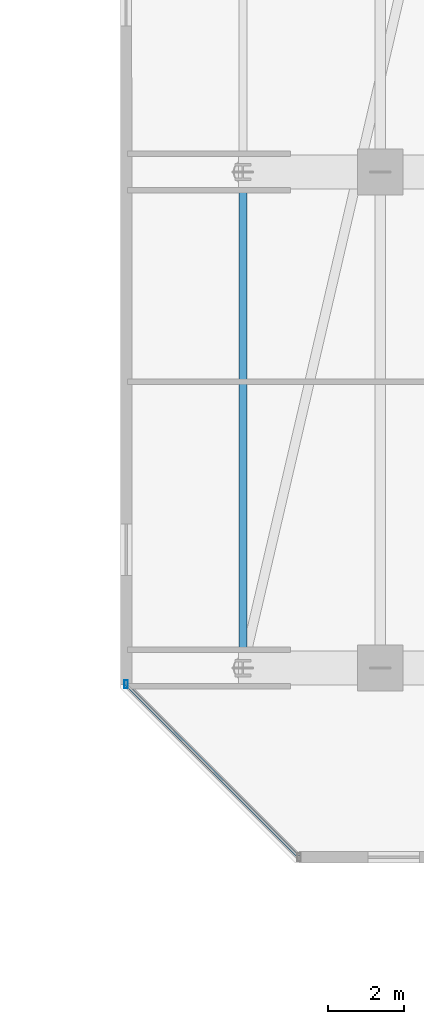
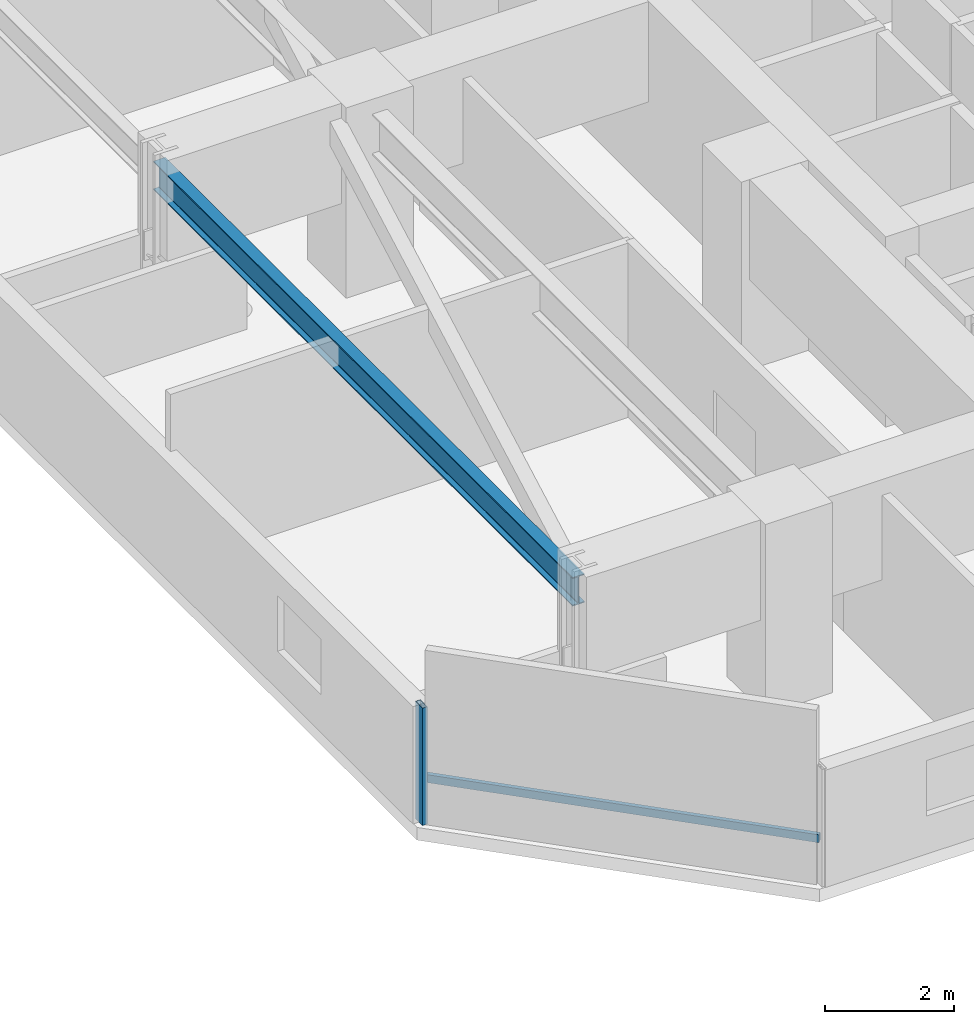
# One storey, part 6 of 36: 2 members, 1 beam, 1 element without a shape of its own.
"""IFC4 building model written with IfcOpenShell, lengths in metres."""

from ifc_helpers import new_model, si_unit, direction, frame, origin, origin_2d, place, context, subcontext, project, spatial, hollow_rectangle, i_section, extrude, material, material_profile, profile_set, type_object, element, aggregate, save


model = new_model("IFC4")

# Units and contexts
model_context = context("Model", 3, precision=1e-05, world=origin(), true_north=direction((0.0, 1.0)))
body_context = subcontext(model_context, "Body", "Model", "MODEL_VIEW")
ifc_project = project(units=[si_unit("LENGTHUNIT", "METRE"), si_unit("AREAUNIT", "SQUARE_METRE"), si_unit("VOLUMEUNIT", "CUBIC_METRE"), si_unit("PLANEANGLEUNIT", "RADIAN"), si_unit("MASSUNIT", "GRAM", prefix="KILO")], contexts=[model_context])

# Site, building, storey
site_placement = place(None, origin())
site = spatial("IfcSite", under=ifc_project, at=site_placement, CompositionType="ELEMENT")
building_placement = place(site_placement, origin())
building = spatial("IfcBuilding", under=site, at=building_placement, Name="Thornwick Lancets Civic Towers", CompositionType="ELEMENT")
storey_placement = place(building_placement, frame((0.0, 0.0, 94.5)))
storey = spatial("IfcBuildingStorey", under=building, at=storey_placement, Name="L24", CompositionType="ELEMENT", Elevation=94.5)

# Beam
ifc_material_1 = material(Name="Steel S355JR", Category="steel")
ifc_material_profile_1 = material_profile(ifc_material_1, i_section(OverallWidth=0.2119140625, OverallDepth=0.54443359375, WebThickness=0.0126953125, FlangeThickness=0.021240234375, FilletRadius=0.0126953125, at=origin_2d()), Name="UKB 533x210x122")
ifc_profile_set_1 = profile_set([ifc_material_profile_1], Name="Steel S355JR")
beam_type = type_object("IfcBeamType", Name="BM_EDGE_533_122", PredefinedType="SPANDREL", material=ifc_profile_set_1)
beam_placement = place(storey_placement, frame((67.60009765625, 14.0, 3.047607421875), z_axis=(0.0, 1.0, 0.0), x_axis=(-1.0, 0.0, 0.0)))
element("IfcBeam", 1, at=beam_placement, inside=storey, type_object=beam_type, Name="BM-EDGE-L24-B-S2-1", PredefinedType="SPANDREL", context=body_context, shape_type="SweptSolid", body=[
    extrude(i_section(OverallWidth=0.2119140625, OverallDepth=0.54443359375, WebThickness=0.0126953125, FlangeThickness=0.021240234375, FilletRadius=0.0126953125, at=origin_2d()), origin(), (0.0, 0.0, 1.0), 13.0),
])

# Curtain wall, members
ifc_material_2 = material(Name="Low-zone chamfered-corner unitised glass curtain wall", Category="glass")
curtain_wall_type = type_object("IfcCurtainWallType", Name="CW_SYS_03", PredefinedType="NOTDEFINED", material=ifc_material_2)
curtain_wall_placement = place(storey_placement, origin())
curtain_wall = element("IfcCurtainWall", 2, at=curtain_wall_placement, inside=storey, type_object=curtain_wall_type, Name="L24 Curtain Wall CW-L24-B-E7", PredefinedType="NOTDEFINED")
ifc_material_3 = material(Name="Thermally broken bronze aluminium S355", Category="steel")
ifc_material_profile_2 = material_profile(ifc_material_3, hollow_rectangle(XDim=0.090087890625, YDim=0.219970703125, WallThickness=0.00634765625, at=origin_2d()), Name="RHS 220x90x6.3")
ifc_profile_set_2 = profile_set([ifc_material_profile_2], Name="Thermally broken bronze aluminium S355")
member_type_1 = type_object("IfcMemberType", Name="CW_MUL_220", PredefinedType="MULLION", material=ifc_profile_set_2)
member_1_placement = place(storey_placement, frame((64.541748046875, 13.574951171875, 0.0), z_axis=(0.0, 0.0, 1.0), x_axis=(1.0, 0.0, 0.0)))
member_1 = element("IfcMember", 3, at=member_1_placement, type_object=member_type_1, Name="CW-L24-B-E7 Mullion 0", PredefinedType="MULLION", context=body_context, shape_type="SweptSolid", body=[
    extrude(hollow_rectangle(XDim=0.090087890625, YDim=0.219970703125, WallThickness=0.00634765625, at=origin_2d()), origin(), (0.0, 0.0, 1.0), 2.219970703125),
])
ifc_material_profile_3 = material_profile(ifc_material_3, hollow_rectangle(XDim=0.074951171875, YDim=0.14990234375, WallThickness=0.0048828125, at=origin_2d()), Name="RHS 150x75x5")
ifc_profile_set_3 = profile_set([ifc_material_profile_3], Name="Thermally broken bronze aluminium S355")
member_type_2 = type_object("IfcMemberType", Name="CW_TRN_150", PredefinedType="USERDEFINED", material=ifc_profile_set_3)
member_2_placement = place(storey_placement, frame((64.555908203125, 13.560791015625, 0.85009765625), z_axis=(0.707106781187, -0.707106781187, 0.0), x_axis=(0.707106781187, 0.707106781187, 0.0)))
member_2 = element("IfcMember", 4, at=member_2_placement, type_object=member_type_2, Name="CW-L24-B-E7 Transom 0", ObjectType="TRANSOM", PredefinedType="USERDEFINED", context=body_context, shape_type="SweptSolid", body=[
    extrude(hollow_rectangle(XDim=0.074951171875, YDim=0.14990234375, WallThickness=0.0048828125, at=origin_2d()), origin(), (0.0, 0.0, 1.0), 6.370849609375),
])
aggregate(curtain_wall, [member_1, member_2])

save(model, "model.ifc")
